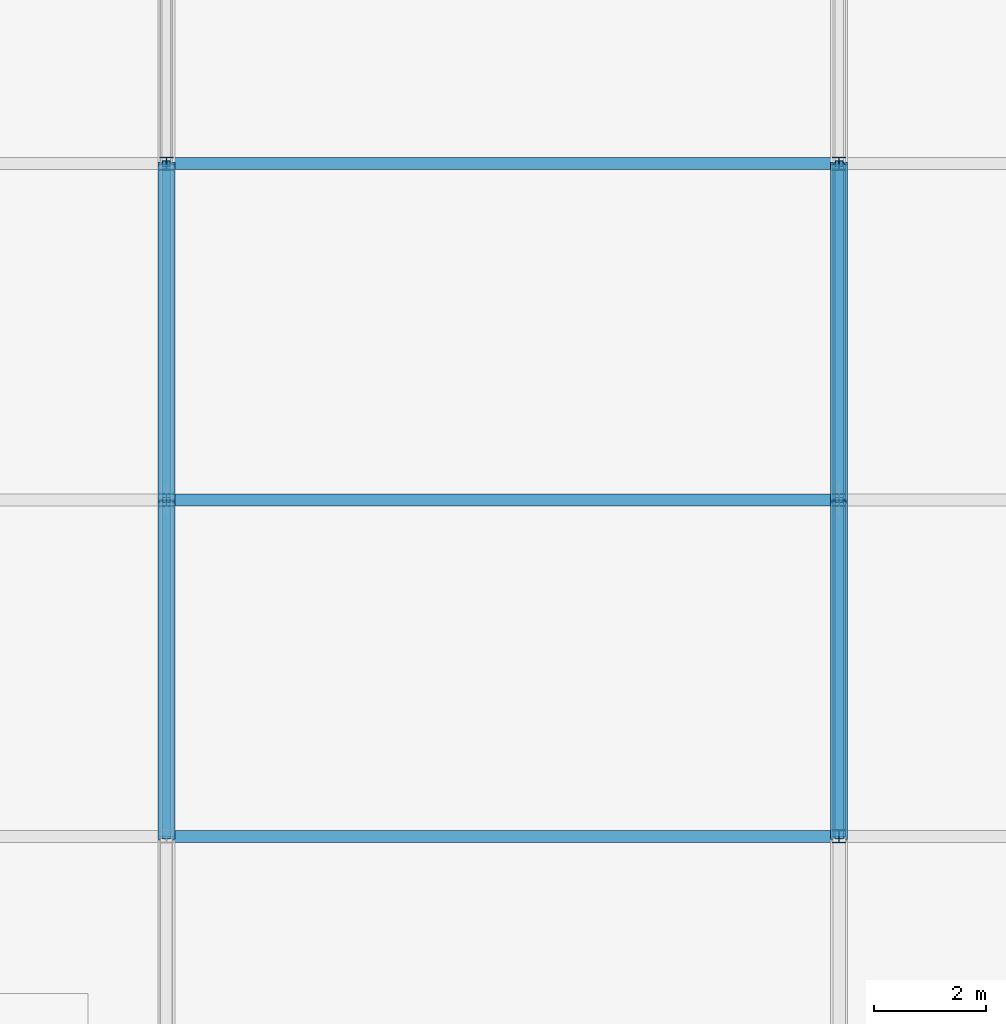
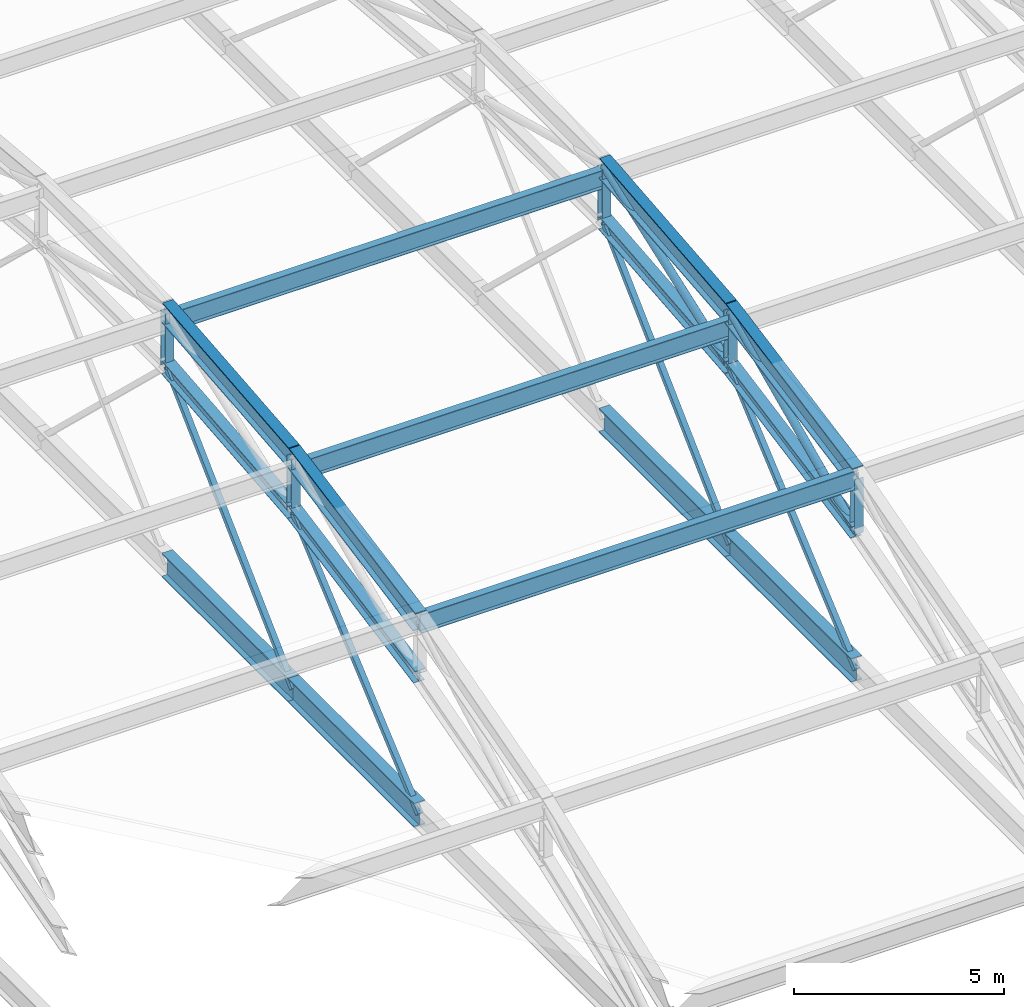
# One storey, part 122 of 204: 26 members.
"""IFC4 building model written with IfcOpenShell, lengths in metres."""

from ifc_helpers import new_model, si_unit, direction, frame, origin, origin_2d, place, context, subcontext, project, spatial, hollow_rectangle, hollow_circle, i_section, extrude, material, material_profile, profile_set, type_object, element, save


model = new_model("IFC4")

# Units and contexts
model_context = context("Model", 3, precision=1e-05, world=origin(), true_north=direction((0.0, 1.0)))
body_context = subcontext(model_context, "Body", "Model", "MODEL_VIEW")
ifc_project = project(units=[si_unit("LENGTHUNIT", "METRE"), si_unit("AREAUNIT", "SQUARE_METRE"), si_unit("VOLUMEUNIT", "CUBIC_METRE"), si_unit("PLANEANGLEUNIT", "RADIAN"), si_unit("MASSUNIT", "GRAM", prefix="KILO")], contexts=[model_context])

# Site, building, storey
site_placement = place(None, origin())
site = spatial("IfcSite", under=ifc_project, at=site_placement, CompositionType="ELEMENT")
building_placement = place(site_placement, origin())
building = spatial("IfcBuilding", under=site, at=building_placement, Name="Zilviju Railside Exhibition Hall", CompositionType="ELEMENT")
storey_placement = place(building_placement, frame((0.0, 0.0, 21.0)))
storey = spatial("IfcBuildingStorey", under=building, at=storey_placement, Name="RF", CompositionType="ELEMENT", Elevation=21.0)

# Members
ifc_material = material(Name="Steel S355J2", Category="steel")
ifc_material_profile_1 = material_profile(ifc_material, hollow_circle(Radius=0.109619140625, WallThickness=0.010009765625, at=origin_2d()), Name="CHS 219.1x10.0")
ifc_profile_set_1 = profile_set([ifc_material_profile_1], Name="Steel S355J2")
member_type_1 = type_object("IfcMemberType", Name="TR-BR-CHS219", PredefinedType="BRACE", material=ifc_profile_set_1)
member_1_placement = place(storey_placement, frame((156.0, 96.0, 0.409912109375), z_axis=(0.0, 0.909316915895, 0.416104249518), x_axis=(-1.0, 0.0, 0.0)))
element("IfcMember", 1, at=member_1_placement, inside=storey, type_object=member_type_1, Name="V2 Parabolic Arch Web Diagonal X=156.0 P3", PredefinedType="BRACE", context=body_context, shape_type="SweptSolid", body=[
    extrude(hollow_circle(Radius=0.109619140625, WallThickness=0.010009765625, at=origin_2d()), origin(), (0.0, 0.0, 1.0), 6.598388671875),
])
member_2_placement = place(storey_placement, frame((156.0, 102.0, 1.5556640625), z_axis=(0.0, 0.940243888255, 0.340501733621), x_axis=(-1.0, 0.0, 0.0)))
element("IfcMember", 2, at=member_2_placement, inside=storey, type_object=member_type_1, Name="V2 Parabolic Arch Web Diagonal X=156.0 P4", PredefinedType="BRACE", context=body_context, shape_type="SweptSolid", body=[
    extrude(hollow_circle(Radius=0.109619140625, WallThickness=0.010009765625, at=origin_2d()), origin(), (0.0, 0.0, 1.0), 6.38134765625),
])
ifc_material_profile_2 = material_profile(ifc_material, i_section(OverallWidth=0.300048828125, OverallDepth=0.39990234375, WebThickness=0.013427734375, FlangeThickness=0.02392578125, at=origin_2d()), Name="HEB 400")
ifc_profile_set_2 = profile_set([ifc_material_profile_2], Name="Steel S355J2")
member_type_2 = type_object("IfcMemberType", Name="TR-CH-HEB400", PredefinedType="CHORD", material=ifc_profile_set_2)
member_3_placement = place(storey_placement, frame((144.0, 96.0, 0.409912109375), z_axis=(0.0, 0.98225135267, 0.187569400964), x_axis=(-1.0, 0.0, 0.0)))
element("IfcMember", 3, at=member_3_placement, inside=storey, type_object=member_type_2, Name="V2 Parabolic Arch Bottom Chord X=144.0 P3", PredefinedType="CHORD", context=body_context, shape_type="SweptSolid", body=[
    extrude(i_section(OverallWidth=0.300048828125, OverallDepth=0.39990234375, WebThickness=0.013427734375, FlangeThickness=0.02392578125, at=origin_2d()), origin(), (0.0, 0.0, 1.0), 6.1083984375),
])
member_4_placement = place(storey_placement, frame((144.0, 102.0, 1.5556640625), z_axis=(0.0, 0.995474695123, 0.095027003367), x_axis=(-1.0, 0.0, 0.0)))
element("IfcMember", 4, at=member_4_placement, inside=storey, type_object=member_type_2, Name="V2 Parabolic Arch Bottom Chord X=144.0 P4", PredefinedType="CHORD", context=body_context, shape_type="SweptSolid", body=[
    extrude(i_section(OverallWidth=0.300048828125, OverallDepth=0.39990234375, WebThickness=0.013427734375, FlangeThickness=0.02392578125, at=origin_2d()), origin(), (0.0, 0.0, 1.0), 6.02734375),
])
member_5_placement = place(storey_placement, frame((156.0, 96.0, 0.409912109375), z_axis=(0.0, 0.98225135267, 0.187569400964), x_axis=(-1.0, 0.0, 0.0)))
element("IfcMember", 5, at=member_5_placement, inside=storey, type_object=member_type_2, Name="V2 Parabolic Arch Bottom Chord X=156.0 P3", PredefinedType="CHORD", context=body_context, shape_type="SweptSolid", body=[
    extrude(i_section(OverallWidth=0.300048828125, OverallDepth=0.39990234375, WebThickness=0.013427734375, FlangeThickness=0.02392578125, at=origin_2d()), origin(), (0.0, 0.0, 1.0), 6.1083984375),
])
member_6_placement = place(storey_placement, frame((156.0, 102.0, 1.5556640625), z_axis=(0.0, 0.995474695123, 0.095027003367), x_axis=(-1.0, 0.0, 0.0)))
element("IfcMember", 6, at=member_6_placement, inside=storey, type_object=member_type_2, Name="V2 Parabolic Arch Bottom Chord X=156.0 P4", PredefinedType="CHORD", context=body_context, shape_type="SweptSolid", body=[
    extrude(i_section(OverallWidth=0.300048828125, OverallDepth=0.39990234375, WebThickness=0.013427734375, FlangeThickness=0.02392578125, at=origin_2d()), origin(), (0.0, 0.0, 1.0), 6.02734375),
])
ifc_material_profile_3 = material_profile(ifc_material, i_section(OverallWidth=0.300048828125, OverallDepth=0.60009765625, WebThickness=0.015380859375, FlangeThickness=0.030029296875, at=origin_2d()), Name="HEB 600")
ifc_profile_set_3 = profile_set([ifc_material_profile_3], Name="Steel S355J2")
member_type_3 = type_object("IfcMemberType", Name="TR-CH-HEB600", PredefinedType="CHORD", material=ifc_profile_set_3)
member_7_placement = place(storey_placement, frame((144.0, 96.0, 2.009765625), z_axis=(0.0, 0.98225135267, 0.187569400964), x_axis=(-1.0, 0.0, 0.0)))
element("IfcMember", 7, at=member_7_placement, inside=storey, type_object=member_type_3, Name="V2 Parabolic Arch Top Chord X=144.0 P3", PredefinedType="CHORD", context=body_context, shape_type="SweptSolid", body=[
    extrude(i_section(OverallWidth=0.300048828125, OverallDepth=0.60009765625, WebThickness=0.015380859375, FlangeThickness=0.030029296875, at=origin_2d()), origin(), (0.0, 0.0, 1.0), 6.1083984375),
])
member_8_placement = place(storey_placement, frame((144.0, 102.0, 3.155517578125), z_axis=(0.0, 0.995470862587, 0.095067143331), x_axis=(-1.0, 0.0, 0.0)))
element("IfcMember", 8, at=member_8_placement, inside=storey, type_object=member_type_3, Name="V2 Parabolic Arch Top Chord X=144.0 P4", PredefinedType="CHORD", context=body_context, shape_type="SweptSolid", body=[
    extrude(i_section(OverallWidth=0.300048828125, OverallDepth=0.60009765625, WebThickness=0.015380859375, FlangeThickness=0.030029296875, at=origin_2d()), origin(), (0.0, 0.0, 1.0), 6.02734375),
])
member_9_placement = place(storey_placement, frame((156.0, 96.0, 2.009765625), z_axis=(0.0, 0.98225135267, 0.187569400964), x_axis=(-1.0, 0.0, 0.0)))
element("IfcMember", 9, at=member_9_placement, inside=storey, type_object=member_type_3, Name="V2 Parabolic Arch Top Chord X=156.0 P3", PredefinedType="CHORD", context=body_context, shape_type="SweptSolid", body=[
    extrude(i_section(OverallWidth=0.300048828125, OverallDepth=0.60009765625, WebThickness=0.015380859375, FlangeThickness=0.030029296875, at=origin_2d()), origin(), (0.0, 0.0, 1.0), 6.1083984375),
])
member_10_placement = place(storey_placement, frame((156.0, 102.0, 3.155517578125), z_axis=(0.0, 0.995470862587, 0.095067143331), x_axis=(-1.0, 0.0, 0.0)))
element("IfcMember", 10, at=member_10_placement, inside=storey, type_object=member_type_3, Name="V2 Parabolic Arch Top Chord X=156.0 P4", PredefinedType="CHORD", context=body_context, shape_type="SweptSolid", body=[
    extrude(i_section(OverallWidth=0.300048828125, OverallDepth=0.60009765625, WebThickness=0.015380859375, FlangeThickness=0.030029296875, at=origin_2d()), origin(), (0.0, 0.0, 1.0), 6.02734375),
])
ifc_material_profile_4 = material_profile(ifc_material, i_section(OverallWidth=0.239990234375, OverallDepth=0.22998046875, WebThickness=0.007568359375, FlangeThickness=0.011962890625, at=origin_2d()), Name="HEA 240")
ifc_profile_set_4 = profile_set([ifc_material_profile_4], Name="Steel S355J2")
member_type_4 = type_object("IfcMemberType", Name="TR-POST-HEA240", PredefinedType="POST", material=ifc_profile_set_4)
member_11_placement = place(storey_placement, frame((144.0, 102.0, 1.5556640625), z_axis=(0.0, 0.0, 1.0), x_axis=(1.0, 0.0, 0.0)))
element("IfcMember", 11, at=member_11_placement, inside=storey, type_object=member_type_4, Name="V2 Parabolic Arch Web Post X=144.0 N3", PredefinedType="POST", context=body_context, shape_type="SweptSolid", body=[
    extrude(i_section(OverallWidth=0.239990234375, OverallDepth=0.22998046875, WebThickness=0.007568359375, FlangeThickness=0.011962890625, at=origin_2d()), origin(), (0.0, 0.0, 1.0), 1.599853515625),
])
member_12_placement = place(storey_placement, frame((144.0, 108.0, 2.12841796875), z_axis=(0.0, 0.0, 1.0), x_axis=(1.0, 0.0, 0.0)))
element("IfcMember", 12, at=member_12_placement, inside=storey, type_object=member_type_4, Name="V2 Parabolic Arch Web Post X=144.0 N4", PredefinedType="POST", context=body_context, shape_type="SweptSolid", body=[
    extrude(i_section(OverallWidth=0.239990234375, OverallDepth=0.22998046875, WebThickness=0.007568359375, FlangeThickness=0.011962890625, at=origin_2d()), origin(), (0.0, 0.0, 1.0), 1.60009765625),
])
for number, where, z_axis, x_axis, name in (
    (13, (156.0, 96.0, 0.409912109375), (0.0, 0.0, 1.0), (1.0, 0.0, 0.0), "V2 Parabolic Arch Web Post X=156.0 N2"),
    (14, (156.0, 102.0, 1.5556640625), (0.0, 0.0, 1.0), (1.0, 0.0, 0.0), "V2 Parabolic Arch Web Post X=156.0 N3"),
):
    element("IfcMember", number, at=place(storey_placement, frame(where, z_axis=z_axis, x_axis=x_axis)), inside=storey, type_object=member_type_4, Name=name, PredefinedType="POST", context=body_context, shape_type="SweptSolid", body=[
        extrude(i_section(OverallWidth=0.239990234375, OverallDepth=0.22998046875, WebThickness=0.007568359375, FlangeThickness=0.011962890625, at=origin_2d()), origin(), (0.0, 0.0, 1.0), 1.599853515625),
    ])
member_13_placement = place(storey_placement, frame((156.0, 108.0, 2.12841796875), z_axis=(0.0, 0.0, 1.0), x_axis=(1.0, 0.0, 0.0)))
element("IfcMember", 15, at=member_13_placement, inside=storey, type_object=member_type_4, Name="V2 Parabolic Arch Web Post X=156.0 N4", PredefinedType="POST", context=body_context, shape_type="SweptSolid", body=[
    extrude(i_section(OverallWidth=0.239990234375, OverallDepth=0.22998046875, WebThickness=0.007568359375, FlangeThickness=0.011962890625, at=origin_2d()), origin(), (0.0, 0.0, 1.0), 1.60009765625),
])
ifc_material_profile_5 = material_profile(ifc_material, hollow_rectangle(XDim=0.14990234375, YDim=0.14990234375, WallThickness=0.008056640625, at=origin_2d()), Name="SHS 150x150x8.0")
ifc_profile_set_5 = profile_set([ifc_material_profile_5], Name="Steel S355J2")
member_type_5 = type_object("IfcMemberType", Name="TR-POST-SHS150", PredefinedType="POST", material=ifc_profile_set_5)
member_14_placement = place(storey_placement, frame((144.0, 96.0, -3.60009765625), z_axis=(0.0, 0.758449992634, 0.651731239602), x_axis=(-1.0, 0.0, 0.0)))
element("IfcMember", 16, at=member_14_placement, inside=storey, type_object=member_type_5, Name="V2 Arch Tie Hanger X=144.0 N2", PredefinedType="POST", context=body_context, shape_type="SweptSolid", body=[
    extrude(hollow_rectangle(XDim=0.14990234375, YDim=0.14990234375, WallThickness=0.008056640625, at=origin_2d()), origin(), (0.0, 0.0, 1.0), 7.910888671875),
])
member_15_placement = place(storey_placement, frame((144.0, 102.0, -3.60009765625), z_axis=(0.0, 0.723280707221, 0.690554138763), x_axis=(-1.0, 0.0, 0.0)))
element("IfcMember", 17, at=member_15_placement, inside=storey, type_object=member_type_5, Name="V2 Arch Tie Hanger X=144.0 N3", PredefinedType="POST", context=body_context, shape_type="SweptSolid", body=[
    extrude(hollow_rectangle(XDim=0.14990234375, YDim=0.14990234375, WallThickness=0.008056640625, at=origin_2d()), origin(), (0.0, 0.0, 1.0), 8.295654296875),
])
member_16_placement = place(storey_placement, frame((156.0, 96.0, -3.60009765625), z_axis=(0.0, 0.758449992634, 0.651731239602), x_axis=(-1.0, 0.0, 0.0)))
element("IfcMember", 18, at=member_16_placement, inside=storey, type_object=member_type_5, Name="V2 Arch Tie Hanger X=156.0 N2", PredefinedType="POST", context=body_context, shape_type="SweptSolid", body=[
    extrude(hollow_rectangle(XDim=0.14990234375, YDim=0.14990234375, WallThickness=0.008056640625, at=origin_2d()), origin(), (0.0, 0.0, 1.0), 7.910888671875),
])
member_17_placement = place(storey_placement, frame((156.0, 102.0, -3.60009765625), z_axis=(0.0, 0.723280707221, 0.690554138763), x_axis=(-1.0, 0.0, 0.0)))
element("IfcMember", 19, at=member_17_placement, inside=storey, type_object=member_type_5, Name="V2 Arch Tie Hanger X=156.0 N3", PredefinedType="POST", context=body_context, shape_type="SweptSolid", body=[
    extrude(hollow_rectangle(XDim=0.14990234375, YDim=0.14990234375, WallThickness=0.008056640625, at=origin_2d()), origin(), (0.0, 0.0, 1.0), 8.295654296875),
])
ifc_material_profile_6 = material_profile(ifc_material, i_section(OverallWidth=0.2099609375, OverallDepth=0.550048828125, WebThickness=0.010986328125, FlangeThickness=0.01708984375, at=origin_2d()), Name="IPE 550")
ifc_profile_set_6 = profile_set([ifc_material_profile_6], Name="Steel S355J2")
member_type_6 = type_object("IfcMemberType", Name="TR-PUR-IPE550", PredefinedType="PURLIN", material=ifc_profile_set_6)
for number, where, z_axis, x_axis, name in (
    (20, (144.0, 96.0, 1.97509765625), (1.0, 0.0, 0.0), (0.0, 1.0, 0.0), "V2 Barrel Vault Roof Purlin Y=96.0 (144.0..156.0)"),
    (21, (144.0, 102.0, 2.716796875), (1.0, 0.0, 0.0), (0.0, 1.0, 0.0), "V2 Barrel Vault Roof Purlin Y=102.0 (144.0..156.0)"),
    (22, (144.0, 108.0, 3.4326171875), (1.0, 0.0, 0.0), (0.0, 1.0, 0.0), "V2 Barrel Vault Roof Purlin Y=108.0 (144.0..156.0)"),
):
    element("IfcMember", number, at=place(storey_placement, frame(where, z_axis=z_axis, x_axis=x_axis)), inside=storey, type_object=member_type_6, Name=name, PredefinedType="PURLIN", context=body_context, shape_type="SweptSolid", body=[
        extrude(i_section(OverallWidth=0.2099609375, OverallDepth=0.550048828125, WebThickness=0.010986328125, FlangeThickness=0.01708984375, at=origin_2d()), origin(), (0.0, 0.0, 1.0), 12.0),
    ])
ifc_material_profile_7 = material_profile(ifc_material, i_section(OverallWidth=0.300048828125, OverallDepth=0.699951171875, WebThickness=0.01708984375, FlangeThickness=0.031982421875, at=origin_2d()), Name="HEB 700")
ifc_profile_set_7 = profile_set([ifc_material_profile_7], Name="Steel S355J2")
member_type_7 = type_object("IfcMemberType", Name="TR-TIE-HEB700", PredefinedType="CHORD", material=ifc_profile_set_7)
for number, where, z_axis, x_axis, name in (
    (23, (144.0, 96.0, -3.60009765625), (0.0, 1.0, 0.0), (-1.0, 0.0, 0.0), "V2 Arch Tie Member X=144.0"),
    (24, (144.0, 102.0, -3.60009765625), (0.0, 1.0, 0.0), (-1.0, 0.0, 0.0), "V2 Arch Tie Member X=144.0"),
    (25, (156.0, 96.0, -3.60009765625), (0.0, 1.0, 0.0), (-1.0, 0.0, 0.0), "V2 Arch Tie Member X=156.0"),
    (26, (156.0, 102.0, -3.60009765625), (0.0, 1.0, 0.0), (-1.0, 0.0, 0.0), "V2 Arch Tie Member X=156.0"),
):
    element("IfcMember", number, at=place(storey_placement, frame(where, z_axis=z_axis, x_axis=x_axis)), inside=storey, type_object=member_type_7, Name=name, PredefinedType="CHORD", context=body_context, shape_type="SweptSolid", body=[
        extrude(i_section(OverallWidth=0.300048828125, OverallDepth=0.699951171875, WebThickness=0.01708984375, FlangeThickness=0.031982421875, at=origin_2d()), origin(), (0.0, 0.0, 1.0), 6.0),
    ])

save(model, "model.ifc")
